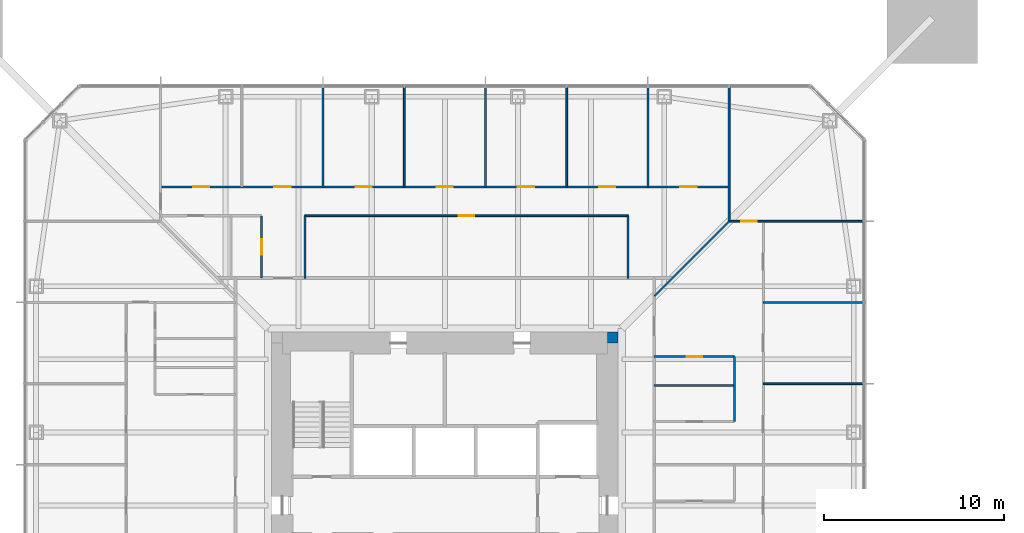
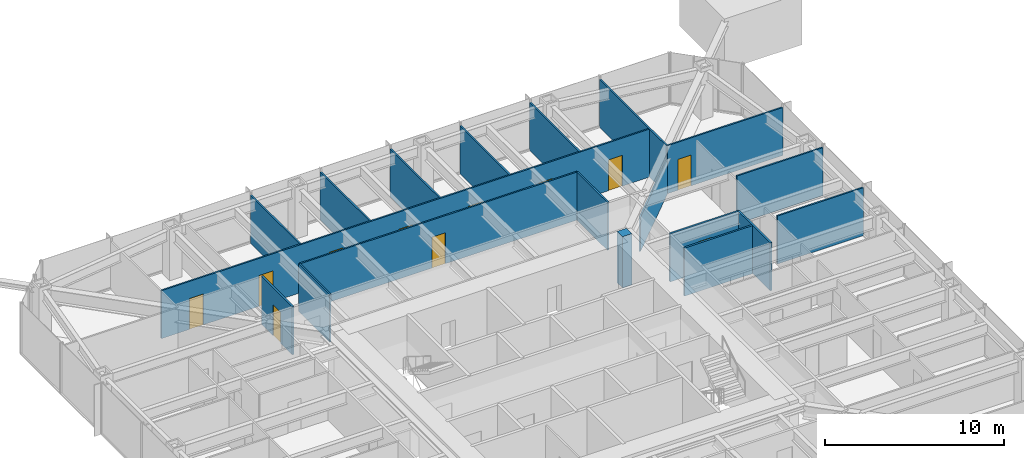
# One storey, part 17 of 26: 19 walls, 11 doors, 11 openings.
"""IFC4 building model written with IfcOpenShell, lengths in metres."""

from ifc_helpers import new_model, si_unit, direction, frame, frame_2d, origin, place, context, subcontext, project, spatial, rectangle, extrude, material, layer, layer_set, type_object, element, fill, save


model = new_model("IFC4")

# Units and contexts
model_context = context("Model", 3, precision=1e-05, world=origin(), true_north=direction((0.0, 1.0)))
body_context = subcontext(model_context, "Body", "Model", "MODEL_VIEW")
ifc_project = project(units=[si_unit("LENGTHUNIT", "METRE"), si_unit("AREAUNIT", "SQUARE_METRE"), si_unit("VOLUMEUNIT", "CUBIC_METRE"), si_unit("PLANEANGLEUNIT", "RADIAN"), si_unit("MASSUNIT", "GRAM", prefix="KILO")], contexts=[model_context])

# Site, building, storey
site_placement = place(None, origin())
site = spatial("IfcSite", under=ifc_project, at=site_placement, CompositionType="ELEMENT")
building_placement = place(site_placement, origin())
building = spatial("IfcBuilding", under=site, at=building_placement, Name="Iwan Alto Co-Living Towers", CompositionType="ELEMENT")
storey_placement = place(building_placement, frame((0.0, 0.0, 36.0)))
storey = spatial("IfcBuildingStorey", under=building, at=storey_placement, Name="L09", CompositionType="ELEMENT", Elevation=36.0)

# Walls
ifc_material_1 = material(Name="Gypsum board")
ifc_layer_1 = layer(ifc_material_1, 0.012451171875, Name="Board", Category="Finish")
ifc_material_2 = material(Name="Steel ASTM A1003 ST33H cold-formed studs", Category="steel")
ifc_layer_2 = layer(ifc_material_2, 0.074951171875, Name="Studs", Category="Framing")
ifc_layer_3 = layer(ifc_material_1, 0.012451171875, Name="Board", Category="Finish")
ifc_layer_set_1 = layer_set([ifc_layer_1, ifc_layer_2, ifc_layer_3], Name="PARTITION 100")
wall_type_1 = type_object("IfcWallType", Name="PARTITION 100", PredefinedType="PARTITIONING", material=ifc_layer_set_1)
for number, where, z_axis, x_axis, name in (
    (1, (17.64990234375, 6.75, 0.0), (0.0, 0.0, 1.0), (1.0, 0.0, 0.0), "Partition L09"),
    (2, (17.64990234375, 11.25, 0.0), (0.0, 0.0, 1.0), (1.0, 0.0, 0.0), "Partition L09"),
):
    element("IfcWall", number, at=place(storey_placement, frame(where, z_axis=z_axis, x_axis=x_axis)), inside=storey, type_object=wall_type_1, Name=name, PredefinedType="PARTITIONING", context=body_context, shape_type="SweptSolid", body=[
        extrude(rectangle(XDim=5.5400390625, YDim=0.10009765625, at=frame_2d((2.77001953125, 0.0))), origin(), (0.0, 0.0, 1.0), 3.27001953125),
    ])

# Wall, opening, door
wall_1_placement = place(storey_placement, frame((15.75, 15.75, 0.0), z_axis=(0.0, 0.0, 1.0), x_axis=(1.0, 0.0, 0.0)))
wall_1 = element("IfcWall", 3, at=wall_1_placement, inside=storey, type_object=wall_type_1, Name="Partition L09", PredefinedType="PARTITIONING", context=body_context, shape_type="SweptSolid", body=[
    extrude(rectangle(XDim=7.43994140625, YDim=0.10009765625, at=frame_2d((3.719970703125, 0.0))), origin(), (0.0, 0.0, 1.0), 3.27001953125),
])
opening_1_placement = place(wall_1_placement, frame((0.675048828125, 0.0, 0.0)))
opening_1 = element("IfcOpeningElement", 4, at=opening_1_placement, cuts=wall_1, Name="Opening D2", PredefinedType="OPENING", context=body_context, shape_type="SweptSolid", body=[
    extrude(rectangle(XDim=0.85009765625, YDim=2.10009765625, at=frame_2d((0.425048828125, 1.050048828125))), frame((0.0, 0.06005859375, 0.0), z_axis=(0.0, -1.0, 0.0), x_axis=(1.0, 0.0, 0.0)), (0.0, 0.0, 1.0), 0.1201171875),
])
ifc_material_3 = material(Name="Timber leaf in steel frame", Category="steel")
door_type_1 = type_object("IfcDoorType", Name="ROOM DOOR 850X2100", OperationType="SINGLE_SWING_LEFT", PredefinedType="DOOR", material=ifc_material_3)
door_1_placement = place(opening_1_placement, frame((0.85009765625, 0.0, 0.0), z_axis=(0.0, 0.0, 1.0), x_axis=(-1.0, 0.0, 0.0)))
door_1 = element("IfcDoor", 5, at=door_1_placement, inside=storey, type_object=door_type_1, Name="Shared kitchen and lounge door L09", OperationType="SINGLE_SWING_LEFT", OverallHeight=2.10009765625, OverallWidth=0.85009765625, PredefinedType="DOOR", context=body_context, shape_type="SweptSolid", body=[
    extrude(rectangle(XDim=0.85009765625, YDim=2.10009765625, at=frame_2d((0.425048828125, 1.050048828125))), frame((0.0, 0.02490234375, 0.0), z_axis=(0.0, -1.0, 0.0), x_axis=(1.0, 0.0, 0.0)), (0.0, 0.0, 1.0), 0.050048828125),
])
fill(opening_1, door_1)

wall_2_placement = place(storey_placement, frame((-7.75, 16.050048828125, 0.0), z_axis=(0.0, 0.0, 1.0), x_axis=(1.0, 0.0, 0.0)))
wall_2 = element("IfcWall", 6, at=wall_2_placement, inside=storey, type_object=wall_type_1, Name="Partition L09", PredefinedType="PARTITIONING", context=body_context, shape_type="SweptSolid", body=[
    extrude(rectangle(XDim=17.89990234375, YDim=0.10009765625, at=frame_2d((8.949951171875, 0.0))), origin(), (0.0, 0.0, 1.0), 3.27001953125),
])
opening_2_placement = place(wall_2_placement, frame((8.52490234375, 0.0, 0.0)))
opening_2 = element("IfcOpeningElement", 7, at=opening_2_placement, cuts=wall_2, Name="Opening D2", PredefinedType="OPENING", context=body_context, shape_type="SweptSolid", body=[
    extrude(rectangle(XDim=0.85009765625, YDim=2.10009765625, at=frame_2d((0.425048828125, 1.050048828125))), frame((0.0, 0.06005859375, 0.0), z_axis=(0.0, -1.0, 0.0), x_axis=(1.0, 0.0, 0.0)), (0.0, 0.0, 1.0), 0.1201171875),
])
door_2_placement = place(opening_2_placement, origin())
door_2 = element("IfcDoor", 8, at=door_2_placement, inside=storey, type_object=door_type_1, Name="Study lounge door L09", OperationType="SINGLE_SWING_RIGHT", OverallHeight=2.10009765625, OverallWidth=0.85009765625, PredefinedType="DOOR", context=body_context, shape_type="SweptSolid", body=[
    extrude(rectangle(XDim=0.85009765625, YDim=2.10009765625, at=frame_2d((0.425048828125, 1.050048828125))), frame((0.0, 0.02490234375, 0.0), z_axis=(0.0, -1.0, 0.0), x_axis=(1.0, 0.0, 0.0)), (0.0, 0.0, 1.0), 0.050048828125),
])
fill(opening_2, door_2)

# Wall, openings, doors
wall_3_placement = place(storey_placement, frame((-15.75, 17.64990234375, 0.0), z_axis=(0.0, 0.0, 1.0), x_axis=(1.0, 0.0, 0.0)))
wall_3 = element("IfcWall", 9, at=wall_3_placement, inside=storey, type_object=wall_type_1, Name="Partition L09", PredefinedType="PARTITIONING", context=body_context, shape_type="SweptSolid", body=[
    extrude(rectangle(XDim=31.5, YDim=0.10009765625, at=frame_2d((15.75, 0.0))), origin(), (0.0, 0.0, 1.0), 3.27001953125),
])
opening_3_placement = place(wall_3_placement, frame((28.800048828125, 0.0, 0.0)))
opening_3 = element("IfcOpeningElement", 10, at=opening_3_placement, cuts=wall_3, Name="Opening D1", PredefinedType="OPENING", context=body_context, shape_type="SweptSolid", body=[
    extrude(rectangle(XDim=0.89990234375, YDim=2.10009765625, at=frame_2d((0.449951171875, 1.050048828125))), frame((0.0, 0.06005859375, 0.0), z_axis=(0.0, -1.0, 0.0), x_axis=(1.0, 0.0, 0.0)), (0.0, 0.0, 1.0), 0.1201171875),
])
opening_4_placement = place(wall_3_placement, frame((24.300048828125, 0.0, 0.0)))
opening_4 = element("IfcOpeningElement", 11, at=opening_4_placement, cuts=wall_3, Name="Opening D1", PredefinedType="OPENING", context=body_context, shape_type="SweptSolid", body=[
    extrude(rectangle(XDim=0.89990234375, YDim=2.10009765625, at=frame_2d((0.449951171875, 1.050048828125))), frame((0.0, 0.06005859375, 0.0), z_axis=(0.0, -1.0, 0.0), x_axis=(1.0, 0.0, 0.0)), (0.0, 0.0, 1.0), 0.1201171875),
])
opening_5_placement = place(wall_3_placement, frame((19.800048828125, 0.0, 0.0)))
opening_5 = element("IfcOpeningElement", 12, at=opening_5_placement, cuts=wall_3, Name="Opening D1", PredefinedType="OPENING", context=body_context, shape_type="SweptSolid", body=[
    extrude(rectangle(XDim=0.89990234375, YDim=2.10009765625, at=frame_2d((0.449951171875, 1.050048828125))), frame((0.0, 0.06005859375, 0.0), z_axis=(0.0, -1.0, 0.0), x_axis=(1.0, 0.0, 0.0)), (0.0, 0.0, 1.0), 0.1201171875),
])
opening_6_placement = place(wall_3_placement, frame((15.300048828125, 0.0, 0.0)))
opening_6 = element("IfcOpeningElement", 13, at=opening_6_placement, cuts=wall_3, Name="Opening D1", PredefinedType="OPENING", context=body_context, shape_type="SweptSolid", body=[
    extrude(rectangle(XDim=0.89990234375, YDim=2.10009765625, at=frame_2d((0.449951171875, 1.050048828125))), frame((0.0, 0.06005859375, 0.0), z_axis=(0.0, -1.0, 0.0), x_axis=(1.0, 0.0, 0.0)), (0.0, 0.0, 1.0), 0.1201171875),
])
opening_7_placement = place(wall_3_placement, frame((10.800048828125, 0.0, 0.0)))
opening_7 = element("IfcOpeningElement", 14, at=opening_7_placement, cuts=wall_3, Name="Opening D1", PredefinedType="OPENING", context=body_context, shape_type="SweptSolid", body=[
    extrude(rectangle(XDim=0.89990234375, YDim=2.10009765625, at=frame_2d((0.449951171875, 1.050048828125))), frame((0.0, 0.06005859375, 0.0), z_axis=(0.0, -1.0, 0.0), x_axis=(1.0, 0.0, 0.0)), (0.0, 0.0, 1.0), 0.1201171875),
])
opening_8_placement = place(wall_3_placement, frame((6.300048828125, 0.0, 0.0)))
opening_8 = element("IfcOpeningElement", 15, at=opening_8_placement, cuts=wall_3, Name="Opening D1", PredefinedType="OPENING", context=body_context, shape_type="SweptSolid", body=[
    extrude(rectangle(XDim=0.89990234375, YDim=2.10009765625, at=frame_2d((0.449951171875, 1.050048828125))), frame((0.0, 0.06005859375, 0.0), z_axis=(0.0, -1.0, 0.0), x_axis=(1.0, 0.0, 0.0)), (0.0, 0.0, 1.0), 0.1201171875),
])
opening_9_placement = place(wall_3_placement, frame((1.800048828125, 0.0, 0.0)))
opening_9 = element("IfcOpeningElement", 16, at=opening_9_placement, cuts=wall_3, Name="Opening D1", PredefinedType="OPENING", context=body_context, shape_type="SweptSolid", body=[
    extrude(rectangle(XDim=0.89990234375, YDim=2.10009765625, at=frame_2d((0.449951171875, 1.050048828125))), frame((0.0, 0.06005859375, 0.0), z_axis=(0.0, -1.0, 0.0), x_axis=(1.0, 0.0, 0.0)), (0.0, 0.0, 1.0), 0.1201171875),
])
ifc_material_4 = material(Name="Timber leaf in steel frame", Category="steel")
door_type_2 = type_object("IfcDoorType", Name="BEDROOM DOOR 900X2100", OperationType="SINGLE_SWING_LEFT", PredefinedType="DOOR", material=ifc_material_4)
door_3_placement = place(opening_3_placement, frame((0.89990234375, 0.0, 0.0), z_axis=(0.0, 0.0, 1.0), x_axis=(-1.0, 0.0, 0.0)))
door_3 = element("IfcDoor", 17, at=door_3_placement, inside=storey, type_object=door_type_2, Name="Study bedroom door L09", OperationType="SINGLE_SWING_LEFT", OverallHeight=2.10009765625, OverallWidth=0.89990234375, PredefinedType="DOOR", context=body_context, shape_type="SweptSolid", body=[
    extrude(rectangle(XDim=0.89990234375, YDim=2.10009765625, at=frame_2d((0.449951171875, 1.050048828125))), frame((0.0, 0.02490234375, 0.0), z_axis=(0.0, -1.0, 0.0), x_axis=(1.0, 0.0, 0.0)), (0.0, 0.0, 1.0), 0.050048828125),
])
fill(opening_3, door_3)
door_4_placement = place(opening_4_placement, frame((0.89990234375, 0.0, 0.0), z_axis=(0.0, 0.0, 1.0), x_axis=(-1.0, 0.0, 0.0)))
door_4 = element("IfcDoor", 18, at=door_4_placement, inside=storey, type_object=door_type_2, Name="Study bedroom door L09", OperationType="SINGLE_SWING_LEFT", OverallHeight=2.10009765625, OverallWidth=0.89990234375, PredefinedType="DOOR", context=body_context, shape_type="SweptSolid", body=[
    extrude(rectangle(XDim=0.89990234375, YDim=2.10009765625, at=frame_2d((0.449951171875, 1.050048828125))), frame((0.0, 0.02490234375, 0.0), z_axis=(0.0, -1.0, 0.0), x_axis=(1.0, 0.0, 0.0)), (0.0, 0.0, 1.0), 0.050048828125),
])
fill(opening_4, door_4)
door_5_placement = place(opening_5_placement, frame((0.89990234375, 0.0, 0.0), z_axis=(0.0, 0.0, 1.0), x_axis=(-1.0, 0.0, 0.0)))
door_5 = element("IfcDoor", 19, at=door_5_placement, inside=storey, type_object=door_type_2, Name="Study bedroom door L09", OperationType="SINGLE_SWING_LEFT", OverallHeight=2.10009765625, OverallWidth=0.89990234375, PredefinedType="DOOR", context=body_context, shape_type="SweptSolid", body=[
    extrude(rectangle(XDim=0.89990234375, YDim=2.10009765625, at=frame_2d((0.449951171875, 1.050048828125))), frame((0.0, 0.02490234375, 0.0), z_axis=(0.0, -1.0, 0.0), x_axis=(1.0, 0.0, 0.0)), (0.0, 0.0, 1.0), 0.050048828125),
])
fill(opening_5, door_5)
door_6_placement = place(opening_6_placement, frame((0.89990234375, 0.0, 0.0), z_axis=(0.0, 0.0, 1.0), x_axis=(-1.0, 0.0, 0.0)))
door_6 = element("IfcDoor", 20, at=door_6_placement, inside=storey, type_object=door_type_2, Name="Study bedroom door L09", OperationType="SINGLE_SWING_RIGHT", OverallHeight=2.10009765625, OverallWidth=0.89990234375, PredefinedType="DOOR", context=body_context, shape_type="SweptSolid", body=[
    extrude(rectangle(XDim=0.89990234375, YDim=2.10009765625, at=frame_2d((0.449951171875, 1.050048828125))), frame((0.0, 0.02490234375, 0.0), z_axis=(0.0, -1.0, 0.0), x_axis=(1.0, 0.0, 0.0)), (0.0, 0.0, 1.0), 0.050048828125),
])
fill(opening_6, door_6)
door_7_placement = place(opening_7_placement, frame((0.89990234375, 0.0, 0.0), z_axis=(0.0, 0.0, 1.0), x_axis=(-1.0, 0.0, 0.0)))
door_7 = element("IfcDoor", 21, at=door_7_placement, inside=storey, type_object=door_type_2, Name="Study bedroom door L09", OperationType="SINGLE_SWING_RIGHT", OverallHeight=2.10009765625, OverallWidth=0.89990234375, PredefinedType="DOOR", context=body_context, shape_type="SweptSolid", body=[
    extrude(rectangle(XDim=0.89990234375, YDim=2.10009765625, at=frame_2d((0.449951171875, 1.050048828125))), frame((0.0, 0.02490234375, 0.0), z_axis=(0.0, -1.0, 0.0), x_axis=(1.0, 0.0, 0.0)), (0.0, 0.0, 1.0), 0.050048828125),
])
fill(opening_7, door_7)
door_8_placement = place(opening_8_placement, frame((0.89990234375, 0.0, 0.0), z_axis=(0.0, 0.0, 1.0), x_axis=(-1.0, 0.0, 0.0)))
door_8 = element("IfcDoor", 22, at=door_8_placement, inside=storey, type_object=door_type_2, Name="Study bedroom door L09", OperationType="SINGLE_SWING_RIGHT", OverallHeight=2.10009765625, OverallWidth=0.89990234375, PredefinedType="DOOR", context=body_context, shape_type="SweptSolid", body=[
    extrude(rectangle(XDim=0.89990234375, YDim=2.10009765625, at=frame_2d((0.449951171875, 1.050048828125))), frame((0.0, 0.02490234375, 0.0), z_axis=(0.0, -1.0, 0.0), x_axis=(1.0, 0.0, 0.0)), (0.0, 0.0, 1.0), 0.050048828125),
])
fill(opening_8, door_8)
door_9_placement = place(opening_9_placement, frame((0.89990234375, 0.0, 0.0), z_axis=(0.0, 0.0, 1.0), x_axis=(-1.0, 0.0, 0.0)))
door_9 = element("IfcDoor", 23, at=door_9_placement, inside=storey, type_object=door_type_2, Name="Study bedroom door L09", OperationType="SINGLE_SWING_RIGHT", OverallHeight=2.10009765625, OverallWidth=0.89990234375, PredefinedType="DOOR", context=body_context, shape_type="SweptSolid", body=[
    extrude(rectangle(XDim=0.89990234375, YDim=2.10009765625, at=frame_2d((0.449951171875, 1.050048828125))), frame((0.0, 0.02490234375, 0.0), z_axis=(0.0, -1.0, 0.0), x_axis=(1.0, 0.0, 0.0)), (0.0, 0.0, 1.0), 0.050048828125),
])
fill(opening_9, door_9)

# Walls
wall_4_placement = place(storey_placement, frame((11.60009765625, 11.60009765625, 0.0), z_axis=(0.0, 0.0, 1.0), x_axis=(0.707106781187, 0.707106781187, 0.0)))
element("IfcWall", 24, at=wall_4_placement, inside=storey, type_object=wall_type_1, Name="Partition L09", PredefinedType="PARTITIONING", context=body_context, shape_type="SweptSolid", body=[
    extrude(rectangle(XDim=5.868896484375, YDim=0.10009765625, at=frame_2d((2.9345703125, 0.0))), origin(), (0.0, 0.0, 1.0), 2.343017578125),
])
wall_5_placement = place(storey_placement, frame((15.75, 15.75, 0.0), z_axis=(0.0, 0.0, 1.0), x_axis=(0.0, 1.0, 0.0)))
element("IfcWall", 25, at=wall_5_placement, inside=storey, type_object=wall_type_1, Name="Partition L09", PredefinedType="PARTITIONING", context=body_context, shape_type="SweptSolid", body=[
    extrude(rectangle(XDim=7.43994140625, YDim=0.10009765625, at=frame_2d((3.719970703125, 0.0))), origin(), (0.0, 0.0, 1.0), 3.27001953125),
])
wall_6_placement = place(storey_placement, frame((11.25, 17.64990234375, 0.0), z_axis=(0.0, 0.0, 1.0), x_axis=(0.0, 1.0, 0.0)))
element("IfcWall", 26, at=wall_6_placement, inside=storey, type_object=wall_type_1, Name="Partition L09", PredefinedType="PARTITIONING", context=body_context, shape_type="SweptSolid", body=[
    extrude(rectangle(XDim=5.5400390625, YDim=0.10009765625, at=frame_2d((2.77001953125, 0.0))), origin(), (0.0, 0.0, 1.0), 3.27001953125),
])
wall_7_placement = place(storey_placement, frame((10.14990234375, 12.60009765625, 0.0), z_axis=(0.0, 0.0, 1.0), x_axis=(0.0, 1.0, 0.0)))
element("IfcWall", 27, at=wall_7_placement, inside=storey, type_object=wall_type_1, Name="Partition L09", PredefinedType="PARTITIONING", context=body_context, shape_type="SweptSolid", body=[
    extrude(rectangle(XDim=3.449951171875, YDim=0.10009765625, at=frame_2d((1.72509765625, 0.0))), origin(), (0.0, 0.0, 1.0), 3.27001953125),
])
for number, where, z_axis, x_axis, name in (
    (28, (6.75, 17.64990234375, 0.0), (0.0, 0.0, 1.0), (0.0, 1.0, 0.0), "Partition L09"),
    (29, (2.25, 17.64990234375, 0.0), (0.0, 0.0, 1.0), (0.0, 1.0, 0.0), "Partition L09"),
    (30, (-2.25, 17.64990234375, 0.0), (0.0, 0.0, 1.0), (0.0, 1.0, 0.0), "Partition L09"),
    (31, (-6.75, 17.64990234375, 0.0), (0.0, 0.0, 1.0), (0.0, 1.0, 0.0), "Partition L09"),
):
    element("IfcWall", number, at=place(storey_placement, frame(where, z_axis=z_axis, x_axis=x_axis)), inside=storey, type_object=wall_type_1, Name=name, PredefinedType="PARTITIONING", context=body_context, shape_type="SweptSolid", body=[
        extrude(rectangle(XDim=5.5400390625, YDim=0.10009765625, at=frame_2d((2.77001953125, 0.0))), origin(), (0.0, 0.0, 1.0), 3.27001953125),
    ])
wall_8_placement = place(storey_placement, frame((-7.75, 12.60009765625, 0.0), z_axis=(0.0, 0.0, 1.0), x_axis=(0.0, 1.0, 0.0)))
element("IfcWall", 32, at=wall_8_placement, inside=storey, type_object=wall_type_1, Name="Partition L09", PredefinedType="PARTITIONING", context=body_context, shape_type="SweptSolid", body=[
    extrude(rectangle(XDim=3.449951171875, YDim=0.10009765625, at=frame_2d((1.72509765625, 0.0))), origin(), (0.0, 0.0, 1.0), 3.27001953125),
])
ifc_material_5 = material(Name="Concrete f'c 70 MPa", Category="concrete")
ifc_layer_4 = layer(ifc_material_5, 0.60009765625)
ifc_layer_set_2 = layer_set([ifc_layer_4], Name="T1 CORE CORNER FILL 600")
wall_type_2 = type_object("IfcWallType", Name="T1 CORE CORNER FILL 600", PredefinedType="SOLIDWALL", material=ifc_layer_set_2)
wall_9_placement = place(storey_placement, frame((9.0, 9.300048828125, 0.0), z_axis=(0.0, 0.0, 1.0), x_axis=(1.0, 0.0, 0.0)))
element("IfcWall", 33, at=wall_9_placement, inside=storey, type_object=wall_type_2, Name="T1 core corner NE L09", PredefinedType="SOLIDWALL", context=body_context, shape_type="SweptSolid", body=[
    extrude(rectangle(XDim=0.60009765625, YDim=0.60009765625, at=frame_2d((0.300048828125, 0.0))), origin(), (0.0, 0.0, 1.0), 3.5),
])
ifc_material_6 = material(Name="Cement board")
ifc_layer_5 = layer(ifc_material_6, 0.012451171875, Name="Board", Category="Finish")
ifc_layer_6 = layer(ifc_material_2, 0.094970703125, Name="Studs", Category="Framing")
ifc_layer_7 = layer(ifc_material_6, 0.012451171875, Name="Board", Category="Finish")
ifc_layer_set_3 = layer_set([ifc_layer_5, ifc_layer_6, ifc_layer_7], Name="WET AREA PARTITION 120")
wall_type_3 = type_object("IfcWallType", Name="WET AREA PARTITION 120", PredefinedType="PARTITIONING", material=ifc_layer_set_3)
wall_10_placement = place(storey_placement, frame((11.60009765625, 6.64990234375, 0.0), z_axis=(0.0, 0.0, 1.0), x_axis=(1.0, 0.0, 0.0)))
element("IfcWall", 34, at=wall_10_placement, inside=storey, type_object=wall_type_3, Name="Partition L09", PredefinedType="PARTITIONING", context=body_context, shape_type="SweptSolid", body=[
    extrude(rectangle(XDim=4.449951171875, YDim=0.1201171875, at=frame_2d((2.22509765625, 0.0))), origin(), (0.0, 0.0, 1.0), 3.27001953125),
])

# Wall, opening, door
wall_11_placement = place(storey_placement, frame((11.60009765625, 8.25, 0.0), z_axis=(0.0, 0.0, 1.0), x_axis=(1.0, 0.0, 0.0)))
wall_11 = element("IfcWall", 35, at=wall_11_placement, inside=storey, type_object=wall_type_3, Name="Partition L09", PredefinedType="PARTITIONING", context=body_context, shape_type="SweptSolid", body=[
    extrude(rectangle(XDim=4.449951171875, YDim=0.1201171875, at=frame_2d((2.22509765625, 0.0))), origin(), (0.0, 0.0, 1.0), 3.27001953125),
])
opening_10_placement = place(wall_11_placement, frame((1.800048828125, 0.0, 0.0)))
opening_10 = element("IfcOpeningElement", 36, at=opening_10_placement, cuts=wall_11, Name="Opening D2", PredefinedType="OPENING", context=body_context, shape_type="SweptSolid", body=[
    extrude(rectangle(XDim=0.85009765625, YDim=2.10009765625, at=frame_2d((0.425048828125, 1.050048828125))), frame((0.0, 0.070068359375, 0.0), z_axis=(0.0, -1.0, 0.0), x_axis=(1.0, 0.0, 0.0)), (0.0, 0.0, 1.0), 0.14013671875),
])
door_10_placement = place(opening_10_placement, origin())
door_10 = element("IfcDoor", 37, at=door_10_placement, inside=storey, type_object=door_type_1, Name="Accessible bathroom door L09", OperationType="SINGLE_SWING_LEFT", OverallHeight=2.10009765625, OverallWidth=0.85009765625, PredefinedType="DOOR", context=body_context, shape_type="SweptSolid", body=[
    extrude(rectangle(XDim=0.85009765625, YDim=2.10009765625, at=frame_2d((0.425048828125, 1.050048828125))), frame((0.0, 0.02490234375, 0.0), z_axis=(0.0, -1.0, 0.0), x_axis=(1.0, 0.0, 0.0)), (0.0, 0.0, 1.0), 0.050048828125),
])
fill(opening_10, door_10)

# Wall
wall_12_placement = place(storey_placement, frame((16.050048828125, 4.64990234375, 0.0), z_axis=(0.0, 0.0, 1.0), x_axis=(0.0, 1.0, 0.0)))
element("IfcWall", 38, at=wall_12_placement, inside=storey, type_object=wall_type_3, Name="Partition L09", PredefinedType="PARTITIONING", context=body_context, shape_type="SweptSolid", body=[
    extrude(rectangle(XDim=3.60009765625, YDim=0.1201171875, at=frame_2d((1.800048828125, 0.0))), origin(), (0.0, 0.0, 1.0), 3.27001953125),
])

# Wall, opening, door
wall_13_placement = place(storey_placement, frame((-10.14990234375, 12.60009765625, 0.0), z_axis=(0.0, 0.0, 1.0), x_axis=(0.0, 1.0, 0.0)))
wall_13 = element("IfcWall", 39, at=wall_13_placement, inside=storey, type_object=wall_type_3, Name="Partition L09", PredefinedType="PARTITIONING", context=body_context, shape_type="SweptSolid", body=[
    extrude(rectangle(XDim=3.449951171875, YDim=0.1201171875, at=frame_2d((1.72509765625, 0.0))), origin(), (0.0, 0.0, 1.0), 3.27001953125),
])
opening_11_placement = place(wall_13_placement, frame((1.300048828125, 0.0, 0.0)))
opening_11 = element("IfcOpeningElement", 40, at=opening_11_placement, cuts=wall_13, Name="Opening D2", PredefinedType="OPENING", context=body_context, shape_type="SweptSolid", body=[
    extrude(rectangle(XDim=0.85009765625, YDim=2.10009765625, at=frame_2d((0.425048828125, 1.050048828125))), frame((0.0, 0.070068359375, 0.0), z_axis=(0.0, -1.0, 0.0), x_axis=(1.0, 0.0, 0.0)), (0.0, 0.0, 1.0), 0.14013671875),
])
door_11_placement = place(opening_11_placement, frame((0.85009765625, 0.0, 0.0), z_axis=(0.0, 0.0, 1.0), x_axis=(-1.0, 0.0, 0.0)))
door_11 = element("IfcDoor", 41, at=door_11_placement, inside=storey, type_object=door_type_1, Name="Bathroom door L09", OperationType="SINGLE_SWING_RIGHT", OverallHeight=2.10009765625, OverallWidth=0.85009765625, PredefinedType="DOOR", context=body_context, shape_type="SweptSolid", body=[
    extrude(rectangle(XDim=0.85009765625, YDim=2.10009765625, at=frame_2d((0.425048828125, 1.050048828125))), frame((0.0, 0.02490234375, 0.0), z_axis=(0.0, -1.0, 0.0), x_axis=(1.0, 0.0, 0.0)), (0.0, 0.0, 1.0), 0.050048828125),
])
fill(opening_11, door_11)

save(model, "model.ifc")
